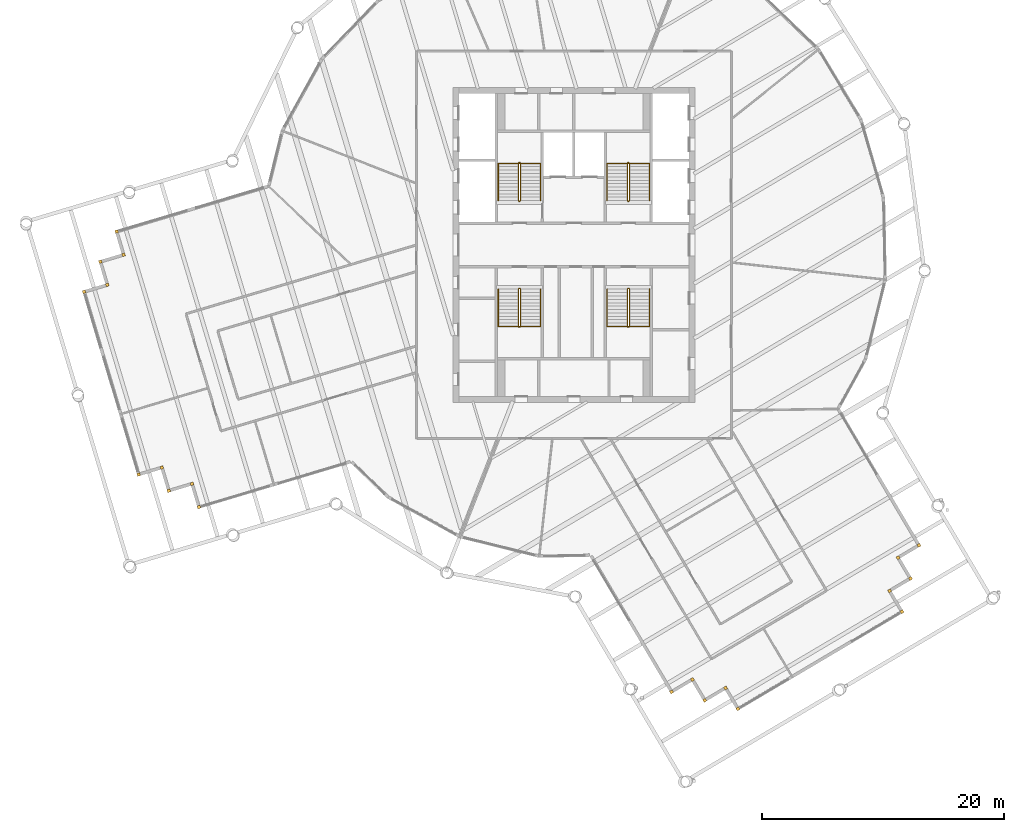
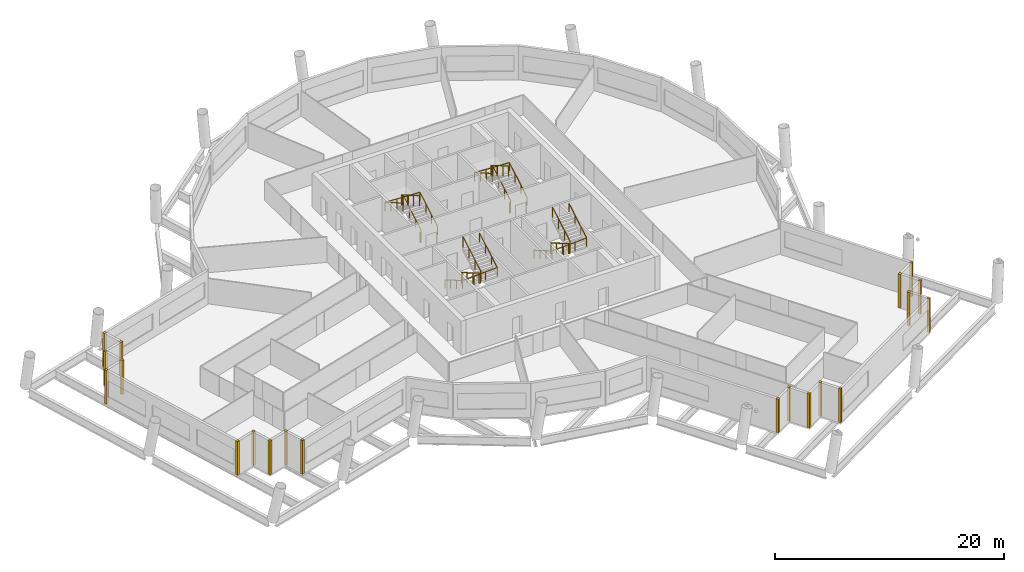
# One storey, part 10 of 11: 20 shading devices, 8 railings.
"""IFC4 building model written with IfcOpenShell, lengths in metres."""

import ifcopenshell
import ifcopenshell.guid

model = None  # the IFC model being written
_history = None  # IfcOwnerHistory: only IFC2X3 demands one
_inside = {}  # id of a spatial element -> (the spatial element, [elements in it])
_under = {}  # id of a project, library or spatial element -> (it, [spatial elements below it])
_declared = {}  # id of a project -> (the project, [libraries it declares])
_typed = {}  # id of a type object -> (the type object, [elements of that type])
_made_of = {}  # id of a material, layer set ... -> (it, [elements and type objects made of it])


def new_model(schema):
    """Start an empty IFC model of exactly this schema.

    Asked for "IFC4X3", IfcOpenShell would pick the latest addendum, in which some entities
    have other attributes; the version numbers below select the first issue.
    IFC2X3 requires an IfcOwnerHistory on every rooted entity: one is made here for all.
    """
    global model, _history
    if schema == "IFC4X3":
        model = ifcopenshell.file(schema_version=(4, 3, 0, 0))
    else:
        model = ifcopenshell.file(schema=schema)
    _inside.clear()
    _under.clear()
    _declared.clear()
    _typed.clear()
    _made_of.clear()
    _history = None
    if model.schema == "IFC2X3":
        org = make("IfcOrganization", Name="unknown")
        user = make(
            "IfcPersonAndOrganization",
            ThePerson=make("IfcPerson", FamilyName="unknown"),
            TheOrganization=org,
        )
        app = make(
            "IfcApplication",
            ApplicationDeveloper=org,
            Version="unknown",
            ApplicationFullName="unknown",
            ApplicationIdentifier="unknown",
        )
        _history = make(
            "IfcOwnerHistory",
            OwningUser=user,
            OwningApplication=app,
            ChangeAction="ADDED",
            CreationDate=0,
        )
    return model


def make(cls, **values):
    """One entity of the class cls with the attributes given. An attribute that is None is left unset."""
    return model.create_entity(
        cls, **{name: value for name, value in values.items() if value is not None}
    )


def rooted(cls, **values):
    """An entity with a GlobalId (a new one), such as an element, a storey or a relation."""
    return make(cls, GlobalId=ifcopenshell.guid.new(), OwnerHistory=_history, **values)


def si_unit(unit_type, name, prefix=None):
    """IfcSIUnit, for example si_unit("LENGTHUNIT", "METRE", prefix="MILLI")."""
    return make("IfcSIUnit", UnitType=unit_type, Prefix=prefix, Name=name)


def assignment(units):
    """IfcUnitAssignment: the units of a project."""
    return None if units is None else make("IfcUnitAssignment", Units=units)


def point(xyz):
    """IfcCartesianPoint."""
    return None if xyz is None else make("IfcCartesianPoint", Coordinates=xyz)


def direction(xyz):
    """IfcDirection."""
    return None if xyz is None else make("IfcDirection", DirectionRatios=xyz)


def frame(location, z_axis=None, x_axis=None):
    """IfcAxis2Placement3D, a coordinate frame: its origin and axes. An axis left out is left unset."""
    return make(
        "IfcAxis2Placement3D",
        Location=point(location),
        Axis=direction(z_axis),
        RefDirection=direction(x_axis),
    )


def frame_2d(location, x_axis=None):
    """IfcAxis2Placement2D, a coordinate frame in the plane: its origin and x axis."""
    return make(
        "IfcAxis2Placement2D", Location=point(location), RefDirection=direction(x_axis)
    )


def origin():
    """The frame at (0, 0, 0) with its axes left unset."""
    return frame((0.0, 0.0, 0.0))


def origin_2d():
    """The frame at (0, 0) in the plane with its x axis left unset."""
    return frame_2d((0.0, 0.0))


def place(relative_to, where):
    """IfcLocalPlacement: puts the frame where relative to a parent placement (None: the world)."""
    return make(
        "IfcLocalPlacement", PlacementRelTo=relative_to, RelativePlacement=where
    )


def context(
    kind, dimensions, precision=None, world=None, true_north=None, identifier=None
):
    """IfcGeometricRepresentationContext, for example the 3D "Model" context."""
    return make(
        "IfcGeometricRepresentationContext",
        ContextIdentifier=identifier,
        ContextType=kind,
        CoordinateSpaceDimension=dimensions,
        Precision=precision,
        WorldCoordinateSystem=world,
        TrueNorth=true_north,
    )


def subcontext(parent, identifier, kind, view, scale=None):
    """IfcGeometricRepresentationSubContext, for example "Body" below "Model"."""
    return make(
        "IfcGeometricRepresentationSubContext",
        ContextIdentifier=identifier,
        ContextType=kind,
        ParentContext=parent,
        TargetScale=scale,
        TargetView=view,
    )


def project(units=None, contexts=None):
    """IfcProject with its units and contexts."""
    return rooted(
        "IfcProject",
        Name="project",
        RepresentationContexts=contexts,
        UnitsInContext=assignment(units),
    )


def spatial(cls, under=None, at=None, **own):
    """A site, building, storey or space (cls), placed at a placement, below another one or the project."""
    s = rooted(cls, ObjectPlacement=at, **own)
    if under is not None:
        _under.setdefault(under.id(), (under, []))[1].append(s)
    return s


def profile(cls, at=None, kind="AREA", **sizes):
    """A parametric profile (cls). Its sizes go by their IFC names, for example OverallWidth=200.0."""
    return make(cls, ProfileType=kind, Position=at, **sizes)


def rectangle(**sizes):
    """IfcRectangleProfileDef."""
    return profile("IfcRectangleProfileDef", **sizes)


def circle(**sizes):
    """IfcCircleProfileDef."""
    return profile("IfcCircleProfileDef", **sizes)


def extrude(swept, where, along, depth):
    """IfcExtrudedAreaSolid: the profile swept, set in the frame where, extruded along a direction by depth."""
    return make(
        "IfcExtrudedAreaSolid",
        SweptArea=swept,
        Position=where,
        ExtrudedDirection=direction(along),
        Depth=depth,
    )


def shape(context_of_items, identifier, shape_type, items):
    """IfcShapeRepresentation: the items that make up one representation, for example the "Body"."""
    return make(
        "IfcShapeRepresentation",
        ContextOfItems=context_of_items,
        RepresentationIdentifier=identifier,
        RepresentationType=shape_type,
        Items=items,
    )


def material(Name=None, Category=None):
    """IfcMaterial."""
    return make("IfcMaterial", Name=Name, Category=Category)


def made_of(thing, what):
    """Note that an element or type object is made of a material, layer set ...; save() writes the relation."""
    if what is not None:
        _made_of.setdefault(what.id(), (what, []))[1].append(thing)
    return thing


def type_object(cls, material=None, **own):
    """A type object (cls), such as IfcWallType, which elements share."""
    return made_of(rooted(cls, **own), material)


def element(
    cls,
    number,
    at=None,
    inside=None,
    cuts=None,
    type_object=None,
    material=None,
    context=None,
    identifier="Body",
    shape_type=None,
    held_by="IfcProductDefinitionShape",
    body=None,
    shapes=None,
    **own,
):
    """One element of the class cls, such as IfcWall. Its Tag is "e" and its number.

    at: its placement. inside: the storey or other place that contains it. cuts: it is an
    opening in that element (IfcRelVoidsElement). A single representation is given by context,
    identifier, shape_type and body (its items); several are given by shapes. held_by: the class
    of the entity that holds the representations. save() writes the other relations.
    """
    e = rooted(cls, Tag="e%d" % number, ObjectPlacement=at, **own)
    if body is not None:
        shapes = [shape(context, identifier, shape_type, body)]
    if shapes is not None:
        e.Representation = make(held_by, Representations=shapes)
    if inside is not None:
        _inside.setdefault(inside.id(), (inside, []))[1].append(e)
    if cuts is not None:
        rooted(
            "IfcRelVoidsElement", RelatingBuildingElement=cuts, RelatedOpeningElement=e
        )
    if type_object is not None:
        _typed.setdefault(type_object.id(), (type_object, []))[1].append(e)
    return made_of(e, material)


def aggregate(whole, parts):
    """IfcRelAggregates: a whole, such as a stair, and the parts it consists of."""
    return rooted("IfcRelAggregates", RelatingObject=whole, RelatedObjects=parts)


def save(model, path):
    """Write the relations noted so far, then the file.

    IfcRelAggregates (storeys below a building ...), IfcRelContainedInSpatialStructure (elements
    in a storey), IfcRelDefinesByType, IfcRelAssociatesMaterial and IfcRelDeclares: one each for
    every whole, place, type object, material and project.
    """
    for whole, parts in _under.values():
        aggregate(whole, parts)
    for where, things in _inside.values():
        rooted(
            "IfcRelContainedInSpatialStructure",
            RelatedElements=things,
            RelatingStructure=where,
        )
    for kind, things in _typed.values():
        rooted("IfcRelDefinesByType", RelatedObjects=things, RelatingType=kind)
    for what, things in _made_of.values():
        rooted("IfcRelAssociatesMaterial", RelatedObjects=things, RelatingMaterial=what)
    for by, libraries in _declared.values():
        rooted("IfcRelDeclares", RelatingContext=by, RelatedDefinitions=libraries)
    model.write(path)


model = new_model("IFC4")

# Units and contexts
model_context = context("Model", 3, precision=1e-05, world=origin(), true_north=direction((0.0, 1.0)))
body_context = subcontext(model_context, "Body", "Model", "MODEL_VIEW")
ifc_project = project(units=[si_unit("LENGTHUNIT", "METRE"), si_unit("AREAUNIT", "SQUARE_METRE"), si_unit("VOLUMEUNIT", "CUBIC_METRE"), si_unit("PLANEANGLEUNIT", "RADIAN"), si_unit("MASSUNIT", "GRAM", prefix="KILO")], contexts=[model_context])

# Site, building, storey
site_placement = place(None, origin())
site = spatial("IfcSite", under=ifc_project, at=site_placement, CompositionType="ELEMENT")
building_placement = place(site_placement, origin())
building = spatial("IfcBuilding", under=site, at=building_placement, Name="Tarsis Ring Headquarters", CompositionType="ELEMENT")
storey_placement = place(building_placement, frame((0.0, 0.0, 350.89990234375)))
storey = spatial("IfcBuildingStorey", under=building, at=storey_placement, Name="L83", CompositionType="ELEMENT", Elevation=350.89990234375)

# Railings
ifc_material_1 = material(Name="Steel S355", Category="steel")
railing_type_1 = type_object("IfcRailingType", Name="Core stair guard 1100", PredefinedType="GUARDRAIL", material=ifc_material_1)
railing_1_placement = place(storey_placement, frame((-4.5400390625, 3.610107421875, 0.0)))
element("IfcRailing", 1, at=railing_1_placement, inside=storey, type_object=railing_type_1, Name="L83 ST1 stair guard 1", PredefinedType="GUARDRAIL", context=body_context, shape_type="SweptSolid", body=[
    extrude(circle(Radius=0.02392578125, at=origin_2d()), frame((0.0, 0.0, 1.076171875), z_axis=(1.0, 0.0, 0.0), x_axis=(0.0, 1.0, 0.0)), (0.0, 0.0, 1.0), 0.080078125),
    extrude(circle(Radius=0.02392578125, at=origin_2d()), frame((0.080078125, 0.0, 1.076171875), z_axis=(0.282336740067, 0.280959487676, 0.917250092119), x_axis=(-0.705375805398, 0.708833529934, 0.0)), (0.0, 0.0, 1.0), 0.17724609375),
    extrude(circle(Radius=0.02392578125, at=origin_2d()), frame((0.130126953125, 0.0498046875, 1.23876953125), z_axis=(0.0, 0.864890721111, 0.501960198159), x_axis=(-1.0, 0.0, 0.0)), (0.0, 0.0, 1.0), 3.561279296875),
    extrude(circle(Radius=0.02392578125, at=origin_2d()), frame((0.130126953125, 3.1298828125, 3.0263671875), z_axis=(-0.707106781187, 0.707106781187, 0.0), x_axis=(-0.707106781187, -0.707106781187, 0.0)), (0.0, 0.0, 1.0), 0.07080078125),
    extrude(circle(Radius=0.02392578125, at=origin_2d()), frame((0.080078125, 3.179931640625, 3.0263671875), z_axis=(-1.0, 0.0, 0.0), x_axis=(0.0, -1.0, 0.0)), (0.0, 0.0, 1.0), 0.080078125),
    extrude(circle(Radius=0.02392578125, at=origin_2d()), frame((0.0, 3.179931640625, 3.0263671875), z_axis=(-0.282583949758, -0.282583949758, 0.916674763849), x_axis=(0.707106781187, -0.707106781187, 0.0)), (0.0, 0.0, 1.0), 0.177001953125),
    extrude(circle(Radius=0.02392578125, at=origin_2d()), frame((-0.050048828125, 3.1298828125, 3.1884765625), z_axis=(0.0, -0.864890721111, 0.501960198159), x_axis=(1.0, 0.0, 0.0)), (0.0, 0.0, 1.0), 3.561279296875),
    extrude(circle(Radius=0.02099609375, at=origin_2d()), origin(), (0.0, 0.0, 1.0), 1.052001953125),
    extrude(circle(Radius=0.02099609375, at=origin_2d()), frame((0.080078125, 0.0, 0.0)), (0.0, 0.0, 1.0), 1.052001953125),
    extrude(circle(Radius=0.02099609375, at=origin_2d()), frame((0.130126953125, 0.0498046875, 0.16259765625)), (0.0, 0.0, 1.0), 1.052001953125),
    extrude(circle(Radius=0.02099609375, at=origin_2d()), frame((0.130126953125, 1.076416015625, 0.758544921875)), (0.0, 0.0, 1.0), 1.052001953125),
    extrude(circle(Radius=0.02099609375, at=origin_2d()), frame((0.130126953125, 2.103271484375, 1.354248046875)), (0.0, 0.0, 1.0), 1.052001953125),
    extrude(circle(Radius=0.02099609375, at=origin_2d()), frame((0.130126953125, 3.1298828125, 1.9501953125)), (0.0, 0.0, 1.0), 1.052001953125),
    extrude(circle(Radius=0.02099609375, at=origin_2d()), frame((0.080078125, 3.179931640625, 1.9501953125)), (0.0, 0.0, 1.0), 1.052001953125),
    extrude(circle(Radius=0.02099609375, at=origin_2d()), frame((0.0, 3.179931640625, 1.9501953125)), (0.0, 0.0, 1.0), 1.052001953125),
    extrude(circle(Radius=0.02099609375, at=origin_2d()), frame((-0.050048828125, 3.1298828125, 2.112548828125)), (0.0, 0.0, 1.0), 1.052001953125),
    extrude(circle(Radius=0.02099609375, at=origin_2d()), frame((-0.050048828125, 2.103271484375, 2.70849609375)), (0.0, 0.0, 1.0), 1.052001953125),
    extrude(circle(Radius=0.02099609375, at=origin_2d()), frame((-0.050048828125, 1.076416015625, 3.30419921875)), (0.0, 0.0, 1.0), 1.052001953125),
    extrude(circle(Radius=0.02099609375, at=origin_2d()), frame((-0.050048828125, 0.0498046875, 3.900146484375)), (0.0, 0.0, 1.0), 1.052001953125),
])
railing_2_placement = place(storey_placement, frame((4.4599609375, 3.610107421875, 0.0)))
element("IfcRailing", 2, at=railing_2_placement, inside=storey, type_object=railing_type_1, Name="L83 ST2 stair guard 1", PredefinedType="GUARDRAIL", context=body_context, shape_type="SweptSolid", body=[
    extrude(circle(Radius=0.02392578125, at=origin_2d()), frame((0.0, 0.0, 1.076171875), z_axis=(1.0, 0.0, 0.0), x_axis=(0.0, 1.0, 0.0)), (0.0, 0.0, 1.0), 0.080078125),
    extrude(circle(Radius=0.02392578125, at=origin_2d()), frame((0.080078125, 0.0, 1.076171875), z_axis=(0.282336740067, 0.280959487676, 0.917250092119), x_axis=(-0.705375805398, 0.708833529934, 0.0)), (0.0, 0.0, 1.0), 0.17724609375),
    extrude(circle(Radius=0.02392578125, at=origin_2d()), frame((0.130126953125, 0.0498046875, 1.23876953125), z_axis=(0.0, 0.864890721111, 0.501960198159), x_axis=(-1.0, 0.0, 0.0)), (0.0, 0.0, 1.0), 3.561279296875),
    extrude(circle(Radius=0.02392578125, at=origin_2d()), frame((0.130126953125, 3.1298828125, 3.0263671875), z_axis=(-0.707106781187, 0.707106781187, 0.0), x_axis=(-0.707106781187, -0.707106781187, 0.0)), (0.0, 0.0, 1.0), 0.07080078125),
    extrude(circle(Radius=0.02392578125, at=origin_2d()), frame((0.080078125, 3.179931640625, 3.0263671875), z_axis=(-1.0, 0.0, 0.0), x_axis=(0.0, -1.0, 0.0)), (0.0, 0.0, 1.0), 0.080078125),
    extrude(circle(Radius=0.02392578125, at=origin_2d()), frame((0.0, 3.179931640625, 3.0263671875), z_axis=(-0.282583949758, -0.282583949758, 0.916674763849), x_axis=(0.707106781187, -0.707106781187, 0.0)), (0.0, 0.0, 1.0), 0.177001953125),
    extrude(circle(Radius=0.02392578125, at=origin_2d()), frame((-0.050048828125, 3.1298828125, 3.1884765625), z_axis=(0.0, -0.864890721111, 0.501960198159), x_axis=(1.0, 0.0, 0.0)), (0.0, 0.0, 1.0), 3.561279296875),
    extrude(circle(Radius=0.02099609375, at=origin_2d()), origin(), (0.0, 0.0, 1.0), 1.052001953125),
    extrude(circle(Radius=0.02099609375, at=origin_2d()), frame((0.080078125, 0.0, 0.0)), (0.0, 0.0, 1.0), 1.052001953125),
    extrude(circle(Radius=0.02099609375, at=origin_2d()), frame((0.130126953125, 0.0498046875, 0.16259765625)), (0.0, 0.0, 1.0), 1.052001953125),
    extrude(circle(Radius=0.02099609375, at=origin_2d()), frame((0.130126953125, 1.076416015625, 0.758544921875)), (0.0, 0.0, 1.0), 1.052001953125),
    extrude(circle(Radius=0.02099609375, at=origin_2d()), frame((0.130126953125, 2.103271484375, 1.354248046875)), (0.0, 0.0, 1.0), 1.052001953125),
    extrude(circle(Radius=0.02099609375, at=origin_2d()), frame((0.130126953125, 3.1298828125, 1.9501953125)), (0.0, 0.0, 1.0), 1.052001953125),
    extrude(circle(Radius=0.02099609375, at=origin_2d()), frame((0.080078125, 3.179931640625, 1.9501953125)), (0.0, 0.0, 1.0), 1.052001953125),
    extrude(circle(Radius=0.02099609375, at=origin_2d()), frame((0.0, 3.179931640625, 1.9501953125)), (0.0, 0.0, 1.0), 1.052001953125),
    extrude(circle(Radius=0.02099609375, at=origin_2d()), frame((-0.050048828125, 3.1298828125, 2.112548828125)), (0.0, 0.0, 1.0), 1.052001953125),
    extrude(circle(Radius=0.02099609375, at=origin_2d()), frame((-0.050048828125, 2.103271484375, 2.70849609375)), (0.0, 0.0, 1.0), 1.052001953125),
    extrude(circle(Radius=0.02099609375, at=origin_2d()), frame((-0.050048828125, 1.076416015625, 3.30419921875)), (0.0, 0.0, 1.0), 1.052001953125),
    extrude(circle(Radius=0.02099609375, at=origin_2d()), frame((-0.050048828125, 0.0498046875, 3.900146484375)), (0.0, 0.0, 1.0), 1.052001953125),
])
railing_3_placement = place(storey_placement, frame((-4.4599609375, -3.610107421875, 0.0)))
element("IfcRailing", 3, at=railing_3_placement, inside=storey, type_object=railing_type_1, Name="L83 ST3 stair guard 1", PredefinedType="GUARDRAIL", context=body_context, shape_type="SweptSolid", body=[
    extrude(circle(Radius=0.02392578125, at=origin_2d()), frame((0.0, 0.0, 1.076171875), z_axis=(-1.0, 0.0, 0.0), x_axis=(0.0, -1.0, 0.0)), (0.0, 0.0, 1.0), 0.080078125),
    extrude(circle(Radius=0.02392578125, at=origin_2d()), frame((-0.080078125, 0.0, 1.076171875), z_axis=(-0.282336740067, -0.280959487676, 0.917250092119), x_axis=(0.705375805398, -0.708833529934, 0.0)), (0.0, 0.0, 1.0), 0.17724609375),
    extrude(circle(Radius=0.02392578125, at=origin_2d()), frame((-0.130126953125, -0.0498046875, 1.23876953125), z_axis=(0.0, -0.864890721111, 0.501960198159), x_axis=(1.0, 0.0, 0.0)), (0.0, 0.0, 1.0), 3.561279296875),
    extrude(circle(Radius=0.02392578125, at=origin_2d()), frame((-0.130126953125, -3.1298828125, 3.0263671875), z_axis=(0.707106781187, -0.707106781187, 0.0), x_axis=(0.707106781187, 0.707106781187, 0.0)), (0.0, 0.0, 1.0), 0.07080078125),
    extrude(circle(Radius=0.02392578125, at=origin_2d()), frame((-0.080078125, -3.179931640625, 3.0263671875), z_axis=(1.0, 0.0, 0.0), x_axis=(0.0, 1.0, 0.0)), (0.0, 0.0, 1.0), 0.080078125),
    extrude(circle(Radius=0.02392578125, at=origin_2d()), frame((0.0, -3.179931640625, 3.0263671875), z_axis=(0.282583949758, 0.282583949758, 0.916674763849), x_axis=(-0.707106781187, 0.707106781187, 0.0)), (0.0, 0.0, 1.0), 0.177001953125),
    extrude(circle(Radius=0.02392578125, at=origin_2d()), frame((0.050048828125, -3.1298828125, 3.1884765625), z_axis=(0.0, 0.864890721111, 0.501960198159), x_axis=(-1.0, 0.0, 0.0)), (0.0, 0.0, 1.0), 3.561279296875),
    extrude(circle(Radius=0.02099609375, at=origin_2d()), origin(), (0.0, 0.0, 1.0), 1.052001953125),
    extrude(circle(Radius=0.02099609375, at=origin_2d()), frame((-0.080078125, 0.0, 0.0)), (0.0, 0.0, 1.0), 1.052001953125),
    extrude(circle(Radius=0.02099609375, at=origin_2d()), frame((-0.130126953125, -0.0498046875, 0.16259765625)), (0.0, 0.0, 1.0), 1.052001953125),
    extrude(circle(Radius=0.02099609375, at=origin_2d()), frame((-0.130126953125, -1.076416015625, 0.758544921875)), (0.0, 0.0, 1.0), 1.052001953125),
    extrude(circle(Radius=0.02099609375, at=origin_2d()), frame((-0.130126953125, -2.103271484375, 1.354248046875)), (0.0, 0.0, 1.0), 1.052001953125),
    extrude(circle(Radius=0.02099609375, at=origin_2d()), frame((-0.130126953125, -3.1298828125, 1.9501953125)), (0.0, 0.0, 1.0), 1.052001953125),
    extrude(circle(Radius=0.02099609375, at=origin_2d()), frame((-0.080078125, -3.179931640625, 1.9501953125)), (0.0, 0.0, 1.0), 1.052001953125),
    extrude(circle(Radius=0.02099609375, at=origin_2d()), frame((0.0, -3.179931640625, 1.9501953125)), (0.0, 0.0, 1.0), 1.052001953125),
    extrude(circle(Radius=0.02099609375, at=origin_2d()), frame((0.050048828125, -3.1298828125, 2.112548828125)), (0.0, 0.0, 1.0), 1.052001953125),
    extrude(circle(Radius=0.02099609375, at=origin_2d()), frame((0.050048828125, -2.103271484375, 2.70849609375)), (0.0, 0.0, 1.0), 1.052001953125),
    extrude(circle(Radius=0.02099609375, at=origin_2d()), frame((0.050048828125, -1.076416015625, 3.30419921875)), (0.0, 0.0, 1.0), 1.052001953125),
    extrude(circle(Radius=0.02099609375, at=origin_2d()), frame((0.050048828125, -0.0498046875, 3.900146484375)), (0.0, 0.0, 1.0), 1.052001953125),
])
railing_4_placement = place(storey_placement, frame((4.5400390625, -3.610107421875, 0.0)))
element("IfcRailing", 4, at=railing_4_placement, inside=storey, type_object=railing_type_1, Name="L83 ST4 stair guard 1", PredefinedType="GUARDRAIL", context=body_context, shape_type="SweptSolid", body=[
    extrude(circle(Radius=0.02392578125, at=origin_2d()), frame((0.0, 0.0, 1.076171875), z_axis=(-1.0, 0.0, 0.0), x_axis=(0.0, -1.0, 0.0)), (0.0, 0.0, 1.0), 0.080078125),
    extrude(circle(Radius=0.02392578125, at=origin_2d()), frame((-0.080078125, 0.0, 1.076171875), z_axis=(-0.282336740067, -0.280959487676, 0.917250092119), x_axis=(0.705375805398, -0.708833529934, 0.0)), (0.0, 0.0, 1.0), 0.17724609375),
    extrude(circle(Radius=0.02392578125, at=origin_2d()), frame((-0.130126953125, -0.0498046875, 1.23876953125), z_axis=(0.0, -0.864890721111, 0.501960198159), x_axis=(1.0, 0.0, 0.0)), (0.0, 0.0, 1.0), 3.561279296875),
    extrude(circle(Radius=0.02392578125, at=origin_2d()), frame((-0.130126953125, -3.1298828125, 3.0263671875), z_axis=(0.707106781187, -0.707106781187, 0.0), x_axis=(0.707106781187, 0.707106781187, 0.0)), (0.0, 0.0, 1.0), 0.07080078125),
    extrude(circle(Radius=0.02392578125, at=origin_2d()), frame((-0.080078125, -3.179931640625, 3.0263671875), z_axis=(1.0, 0.0, 0.0), x_axis=(0.0, 1.0, 0.0)), (0.0, 0.0, 1.0), 0.080078125),
    extrude(circle(Radius=0.02392578125, at=origin_2d()), frame((0.0, -3.179931640625, 3.0263671875), z_axis=(0.282583949758, 0.282583949758, 0.916674763849), x_axis=(-0.707106781187, 0.707106781187, 0.0)), (0.0, 0.0, 1.0), 0.177001953125),
    extrude(circle(Radius=0.02392578125, at=origin_2d()), frame((0.050048828125, -3.1298828125, 3.1884765625), z_axis=(0.0, 0.864890721111, 0.501960198159), x_axis=(-1.0, 0.0, 0.0)), (0.0, 0.0, 1.0), 3.561279296875),
    extrude(circle(Radius=0.02099609375, at=origin_2d()), origin(), (0.0, 0.0, 1.0), 1.052001953125),
    extrude(circle(Radius=0.02099609375, at=origin_2d()), frame((-0.080078125, 0.0, 0.0)), (0.0, 0.0, 1.0), 1.052001953125),
    extrude(circle(Radius=0.02099609375, at=origin_2d()), frame((-0.130126953125, -0.0498046875, 0.16259765625)), (0.0, 0.0, 1.0), 1.052001953125),
    extrude(circle(Radius=0.02099609375, at=origin_2d()), frame((-0.130126953125, -1.076416015625, 0.758544921875)), (0.0, 0.0, 1.0), 1.052001953125),
    extrude(circle(Radius=0.02099609375, at=origin_2d()), frame((-0.130126953125, -2.103271484375, 1.354248046875)), (0.0, 0.0, 1.0), 1.052001953125),
    extrude(circle(Radius=0.02099609375, at=origin_2d()), frame((-0.130126953125, -3.1298828125, 1.9501953125)), (0.0, 0.0, 1.0), 1.052001953125),
    extrude(circle(Radius=0.02099609375, at=origin_2d()), frame((-0.080078125, -3.179931640625, 1.9501953125)), (0.0, 0.0, 1.0), 1.052001953125),
    extrude(circle(Radius=0.02099609375, at=origin_2d()), frame((0.0, -3.179931640625, 1.9501953125)), (0.0, 0.0, 1.0), 1.052001953125),
    extrude(circle(Radius=0.02099609375, at=origin_2d()), frame((0.050048828125, -3.1298828125, 2.112548828125)), (0.0, 0.0, 1.0), 1.052001953125),
    extrude(circle(Radius=0.02099609375, at=origin_2d()), frame((0.050048828125, -2.103271484375, 2.70849609375)), (0.0, 0.0, 1.0), 1.052001953125),
    extrude(circle(Radius=0.02099609375, at=origin_2d()), frame((0.050048828125, -1.076416015625, 3.30419921875)), (0.0, 0.0, 1.0), 1.052001953125),
    extrude(circle(Radius=0.02099609375, at=origin_2d()), frame((0.050048828125, -0.0498046875, 3.900146484375)), (0.0, 0.0, 1.0), 1.052001953125),
])
railing_type_2 = type_object("IfcRailingType", Name="Core stair handrail 900", PredefinedType="HANDRAIL", material=ifc_material_1)
railing_5_placement = place(storey_placement, frame((-2.75, 3.659912109375, 0.16259765625)))
element("IfcRailing", 5, at=railing_5_placement, inside=storey, type_object=railing_type_2, Name="L83 ST1 stair handrail 1", PredefinedType="HANDRAIL", context=body_context, shape_type="SweptSolid", body=[
    extrude(circle(Radius=0.02392578125, at=origin_2d()), frame((0.0, 0.0, 0.8759765625), z_axis=(0.0, 0.864890721111, 0.501960198159), x_axis=(-1.0, 0.0, 0.0)), (0.0, 0.0, 1.0), 3.561279296875),
    extrude(circle(Radius=0.02392578125, at=origin_2d()), frame((0.0, 3.080078125, 2.66357421875), z_axis=(-0.998925869279, 0.0, 0.04633689335), x_axis=(0.0, -1.0, 0.0)), (0.0, 0.0, 1.0), 3.503662109375),
    extrude(circle(Radius=0.02392578125, at=origin_2d()), frame((-3.5, 3.080078125, 2.82568359375), z_axis=(0.0, -0.864890721111, 0.501960198159), x_axis=(1.0, 0.0, 0.0)), (0.0, 0.0, 1.0), 3.561279296875),
    extrude(circle(Radius=0.02099609375, at=origin_2d()), origin(), (0.0, 0.0, 1.0), 0.851806640625),
    extrude(circle(Radius=0.02099609375, at=origin_2d()), frame((0.0, 1.026611328125, 0.595947265625)), (0.0, 0.0, 1.0), 0.851806640625),
    extrude(circle(Radius=0.02099609375, at=origin_2d()), frame((0.0, 2.053466796875, 1.191650390625)), (0.0, 0.0, 1.0), 0.851806640625),
    extrude(circle(Radius=0.02099609375, at=origin_2d()), frame((0.0, 3.080078125, 1.78759765625)), (0.0, 0.0, 1.0), 0.851806640625),
    extrude(circle(Radius=0.02099609375, at=origin_2d()), frame((-1.166748046875, 3.080078125, 1.841796875)), (0.0, 0.0, 1.0), 0.851806640625),
    extrude(circle(Radius=0.02099609375, at=origin_2d()), frame((-2.333251953125, 3.080078125, 1.895751953125)), (0.0, 0.0, 1.0), 0.851806640625),
    extrude(circle(Radius=0.02099609375, at=origin_2d()), frame((-3.5, 3.080078125, 1.949951171875)), (0.0, 0.0, 1.0), 0.851806640625),
    extrude(circle(Radius=0.02099609375, at=origin_2d()), frame((-3.5, 2.053466796875, 2.5458984375)), (0.0, 0.0, 1.0), 0.851806640625),
    extrude(circle(Radius=0.02099609375, at=origin_2d()), frame((-3.5, 1.026611328125, 3.1416015625)), (0.0, 0.0, 1.0), 0.851806640625),
    extrude(circle(Radius=0.02099609375, at=origin_2d()), frame((-3.5, 0.0, 3.737548828125)), (0.0, 0.0, 1.0), 0.851806640625),
])
railing_6_placement = place(storey_placement, frame((6.25, 3.659912109375, 0.16259765625)))
element("IfcRailing", 6, at=railing_6_placement, inside=storey, type_object=railing_type_2, Name="L83 ST2 stair handrail 1", PredefinedType="HANDRAIL", context=body_context, shape_type="SweptSolid", body=[
    extrude(circle(Radius=0.02392578125, at=origin_2d()), frame((0.0, 0.0, 0.8759765625), z_axis=(0.0, 0.864890721111, 0.501960198159), x_axis=(-1.0, 0.0, 0.0)), (0.0, 0.0, 1.0), 3.561279296875),
    extrude(circle(Radius=0.02392578125, at=origin_2d()), frame((0.0, 3.080078125, 2.66357421875), z_axis=(-0.998925869279, 0.0, 0.04633689335), x_axis=(0.0, -1.0, 0.0)), (0.0, 0.0, 1.0), 3.503662109375),
    extrude(circle(Radius=0.02392578125, at=origin_2d()), frame((-3.5, 3.080078125, 2.82568359375), z_axis=(0.0, -0.864890721111, 0.501960198159), x_axis=(1.0, 0.0, 0.0)), (0.0, 0.0, 1.0), 3.561279296875),
    extrude(circle(Radius=0.02099609375, at=origin_2d()), origin(), (0.0, 0.0, 1.0), 0.851806640625),
    extrude(circle(Radius=0.02099609375, at=origin_2d()), frame((0.0, 1.026611328125, 0.595947265625)), (0.0, 0.0, 1.0), 0.851806640625),
    extrude(circle(Radius=0.02099609375, at=origin_2d()), frame((0.0, 2.053466796875, 1.191650390625)), (0.0, 0.0, 1.0), 0.851806640625),
    extrude(circle(Radius=0.02099609375, at=origin_2d()), frame((0.0, 3.080078125, 1.78759765625)), (0.0, 0.0, 1.0), 0.851806640625),
    extrude(circle(Radius=0.02099609375, at=origin_2d()), frame((-1.166748046875, 3.080078125, 1.841796875)), (0.0, 0.0, 1.0), 0.851806640625),
    extrude(circle(Radius=0.02099609375, at=origin_2d()), frame((-2.333251953125, 3.080078125, 1.895751953125)), (0.0, 0.0, 1.0), 0.851806640625),
    extrude(circle(Radius=0.02099609375, at=origin_2d()), frame((-3.5, 3.080078125, 1.949951171875)), (0.0, 0.0, 1.0), 0.851806640625),
    extrude(circle(Radius=0.02099609375, at=origin_2d()), frame((-3.5, 2.053466796875, 2.5458984375)), (0.0, 0.0, 1.0), 0.851806640625),
    extrude(circle(Radius=0.02099609375, at=origin_2d()), frame((-3.5, 1.026611328125, 3.1416015625)), (0.0, 0.0, 1.0), 0.851806640625),
    extrude(circle(Radius=0.02099609375, at=origin_2d()), frame((-3.5, 0.0, 3.737548828125)), (0.0, 0.0, 1.0), 0.851806640625),
])
railing_7_placement = place(storey_placement, frame((-6.25, -3.659912109375, 0.16259765625)))
element("IfcRailing", 7, at=railing_7_placement, inside=storey, type_object=railing_type_2, Name="L83 ST3 stair handrail 1", PredefinedType="HANDRAIL", context=body_context, shape_type="SweptSolid", body=[
    extrude(circle(Radius=0.02392578125, at=origin_2d()), frame((0.0, 0.0, 0.8759765625), z_axis=(0.0, -0.864890721111, 0.501960198159), x_axis=(1.0, 0.0, 0.0)), (0.0, 0.0, 1.0), 3.561279296875),
    extrude(circle(Radius=0.02392578125, at=origin_2d()), frame((0.0, -3.080078125, 2.66357421875), z_axis=(0.998925869279, 0.0, 0.04633689335), x_axis=(0.0, 1.0, 0.0)), (0.0, 0.0, 1.0), 3.503662109375),
    extrude(circle(Radius=0.02392578125, at=origin_2d()), frame((3.5, -3.080078125, 2.82568359375), z_axis=(0.0, 0.864890721111, 0.501960198159), x_axis=(-1.0, 0.0, 0.0)), (0.0, 0.0, 1.0), 3.561279296875),
    extrude(circle(Radius=0.02099609375, at=origin_2d()), origin(), (0.0, 0.0, 1.0), 0.851806640625),
    extrude(circle(Radius=0.02099609375, at=origin_2d()), frame((0.0, -1.026611328125, 0.595947265625)), (0.0, 0.0, 1.0), 0.851806640625),
    extrude(circle(Radius=0.02099609375, at=origin_2d()), frame((0.0, -2.053466796875, 1.191650390625)), (0.0, 0.0, 1.0), 0.851806640625),
    extrude(circle(Radius=0.02099609375, at=origin_2d()), frame((0.0, -3.080078125, 1.78759765625)), (0.0, 0.0, 1.0), 0.851806640625),
    extrude(circle(Radius=0.02099609375, at=origin_2d()), frame((1.166748046875, -3.080078125, 1.841796875)), (0.0, 0.0, 1.0), 0.851806640625),
    extrude(circle(Radius=0.02099609375, at=origin_2d()), frame((2.333251953125, -3.080078125, 1.895751953125)), (0.0, 0.0, 1.0), 0.851806640625),
    extrude(circle(Radius=0.02099609375, at=origin_2d()), frame((3.5, -3.080078125, 1.949951171875)), (0.0, 0.0, 1.0), 0.851806640625),
    extrude(circle(Radius=0.02099609375, at=origin_2d()), frame((3.5, -2.053466796875, 2.5458984375)), (0.0, 0.0, 1.0), 0.851806640625),
    extrude(circle(Radius=0.02099609375, at=origin_2d()), frame((3.5, -1.026611328125, 3.1416015625)), (0.0, 0.0, 1.0), 0.851806640625),
    extrude(circle(Radius=0.02099609375, at=origin_2d()), frame((3.5, 0.0, 3.737548828125)), (0.0, 0.0, 1.0), 0.851806640625),
])
railing_8_placement = place(storey_placement, frame((2.75, -3.659912109375, 0.16259765625)))
element("IfcRailing", 8, at=railing_8_placement, inside=storey, type_object=railing_type_2, Name="L83 ST4 stair handrail 1", PredefinedType="HANDRAIL", context=body_context, shape_type="SweptSolid", body=[
    extrude(circle(Radius=0.02392578125, at=origin_2d()), frame((0.0, 0.0, 0.8759765625), z_axis=(0.0, -0.864890721111, 0.501960198159), x_axis=(1.0, 0.0, 0.0)), (0.0, 0.0, 1.0), 3.561279296875),
    extrude(circle(Radius=0.02392578125, at=origin_2d()), frame((0.0, -3.080078125, 2.66357421875), z_axis=(0.998925869279, 0.0, 0.04633689335), x_axis=(0.0, 1.0, 0.0)), (0.0, 0.0, 1.0), 3.503662109375),
    extrude(circle(Radius=0.02392578125, at=origin_2d()), frame((3.5, -3.080078125, 2.82568359375), z_axis=(0.0, 0.864890721111, 0.501960198159), x_axis=(-1.0, 0.0, 0.0)), (0.0, 0.0, 1.0), 3.561279296875),
    extrude(circle(Radius=0.02099609375, at=origin_2d()), origin(), (0.0, 0.0, 1.0), 0.851806640625),
    extrude(circle(Radius=0.02099609375, at=origin_2d()), frame((0.0, -1.026611328125, 0.595947265625)), (0.0, 0.0, 1.0), 0.851806640625),
    extrude(circle(Radius=0.02099609375, at=origin_2d()), frame((0.0, -2.053466796875, 1.191650390625)), (0.0, 0.0, 1.0), 0.851806640625),
    extrude(circle(Radius=0.02099609375, at=origin_2d()), frame((0.0, -3.080078125, 1.78759765625)), (0.0, 0.0, 1.0), 0.851806640625),
    extrude(circle(Radius=0.02099609375, at=origin_2d()), frame((1.166748046875, -3.080078125, 1.841796875)), (0.0, 0.0, 1.0), 0.851806640625),
    extrude(circle(Radius=0.02099609375, at=origin_2d()), frame((2.333251953125, -3.080078125, 1.895751953125)), (0.0, 0.0, 1.0), 0.851806640625),
    extrude(circle(Radius=0.02099609375, at=origin_2d()), frame((3.5, -3.080078125, 1.949951171875)), (0.0, 0.0, 1.0), 0.851806640625),
    extrude(circle(Radius=0.02099609375, at=origin_2d()), frame((3.5, -2.053466796875, 2.5458984375)), (0.0, 0.0, 1.0), 0.851806640625),
    extrude(circle(Radius=0.02099609375, at=origin_2d()), frame((3.5, -1.026611328125, 3.1416015625)), (0.0, 0.0, 1.0), 0.851806640625),
    extrude(circle(Radius=0.02099609375, at=origin_2d()), frame((3.5, 0.0, 3.737548828125)), (0.0, 0.0, 1.0), 0.851806640625),
])

# Shading devices
ifc_material_2 = material(Name="Terracotta baguette", Category="masonry")
shading_device_type = type_object("IfcShadingDeviceType", Name="Terracotta corner baguette 250x250", PredefinedType="USERDEFINED", material=ifc_material_2)
for number, where, z_axis, x_axis, name in (
    (9, (-30.97216796875, -21.65087890625, 0.0), (0.0, 0.0, 1.0), (0.286357450156, -0.958122857853, 0.0), "Corner baguette L83-01"),
    (10, (8.06640625, -36.91845703125, 0.0), (0.0, 0.0, 1.0), (0.509642217963, -0.860386430431, 0.0), "Corner baguette L83-07"),
    (11, (9.787109375, -35.899169921875, 0.0), (0.0, 0.0, 1.0), (0.860386412641, 0.509642247996, 0.0), "Corner baguette L83-08"),
    (12, (10.806396484375, -37.619873046875, 0.0), (0.0, 0.0, 1.0), (0.509642398162, -0.860386323692, 0.0), "Corner baguette L83-09"),
    (13, (12.527099609375, -36.6005859375, 0.0), (0.0, 0.0, 1.0), (0.860386323692, 0.509642398162, 0.0), "Corner baguette L83-10"),
    (14, (13.54638671875, -38.3212890625, 0.0), (0.0, 0.0, 1.0), (0.509642022748, -0.860386546065, 0.0), "Corner baguette L83-11"),
    (15, (27.097412109375, -30.29443359375, 0.0), (0.0, 0.0, 1.0), (0.860386466011, 0.509642157897, 0.0), "Corner baguette L83-12"),
    (16, (26.078125, -28.57373046875, 0.0), (0.0, 0.0, 1.0), (-0.509642398162, 0.860386323692, 0.0), "Corner baguette L83-13"),
    (17, (27.799072265625, -27.554443359375, 0.0), (0.0, 0.0, 1.0), (0.860386546065, 0.509642022748, 0.0), "Corner baguette L83-14"),
    (18, (26.77978515625, -25.833740234375, 0.0), (0.0, 0.0, 1.0), (-0.509642022748, 0.860386546065, 0.0), "Corner baguette L83-15"),
    (19, (28.50048828125, -24.814453125, 0.0), (0.0, 0.0, 1.0), (0.860386323692, 0.509642398162, 0.0), "Corner baguette L83-16"),
    (20, (-37.773193359375, 1.104736328125, 0.0), (0.0, 0.0, 1.0), (-0.958122897836, -0.286357316377, 0.0), "Corner baguette L83-32"),
    (21, (-37.200439453125, -0.8115234375, 0.0), (0.0, 0.0, 1.0), (0.286356998651, -0.958122992796, 0.0), "Corner baguette L83-33"),
    (22, (-39.11669921875, -1.38427734375, 0.0), (0.0, 0.0, 1.0), (-0.958122812872, -0.286357600657, 0.0), "Corner baguette L83-34"),
    (23, (-38.5439453125, -3.300537109375, 0.0), (0.0, 0.0, 1.0), (0.286357450156, -0.958122857853, 0.0), "Corner baguette L83-35"),
    (24, (-40.460205078125, -3.873291015625, 0.0), (0.0, 0.0, 1.0), (-0.958122992796, -0.286356998651, 0.0), "Corner baguette L83-36"),
    (25, (-35.9501953125, -18.963623046875, 0.0), (0.0, 0.0, 1.0), (0.286357299654, -0.958122902834, 0.0), "Corner baguette L83-37"),
    (26, (-34.033935546875, -18.39111328125, 0.0), (0.0, 0.0, 1.0), (0.958122857853, 0.286357450156, 0.0), "Corner baguette L83-38"),
    (27, (-33.461181640625, -20.30712890625, 0.0), (0.0, 0.0, 1.0), (0.286356998651, -0.958122992796, 0.0), "Corner baguette L83-39"),
    (28, (-31.544921875, -19.734619140625, 0.0), (0.0, 0.0, 1.0), (0.958122857853, 0.286357450156, 0.0), "Corner baguette L83-40"),
):
    element("IfcShadingDevice", number, at=place(storey_placement, frame(where, z_axis=z_axis, x_axis=x_axis)), inside=storey, type_object=shading_device_type, Name=name, ObjectType="Terracotta corner baguette", PredefinedType="USERDEFINED", context=body_context, shape_type="SweptSolid", body=[
        extrude(rectangle(XDim=0.25, YDim=0.25, at=origin_2d()), origin(), (0.0, 0.0, 1.0), 3.60009765625),
    ])

save(model, "model.ifc")
